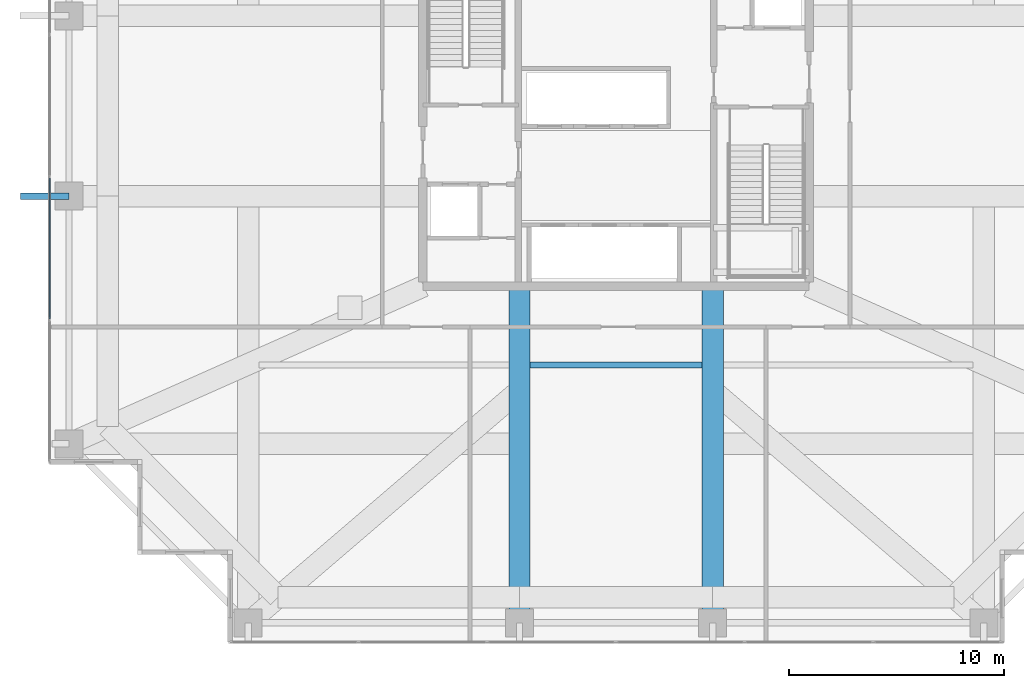
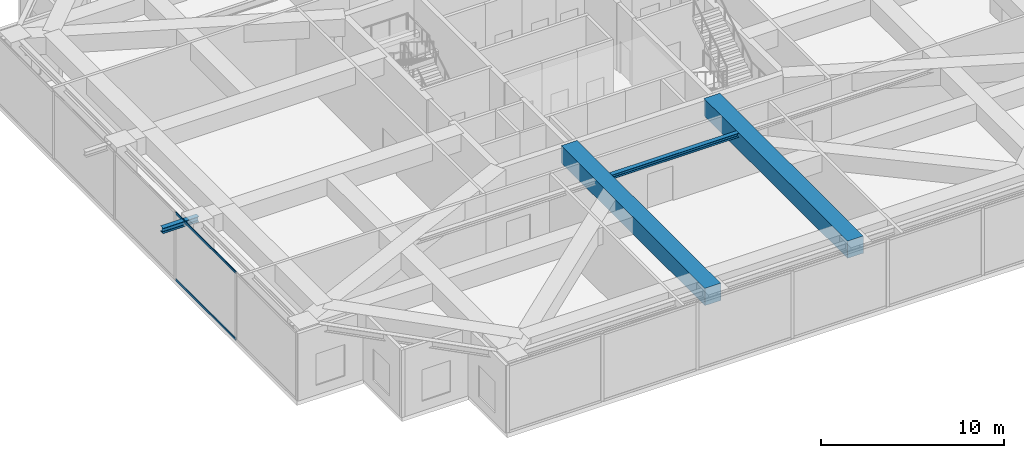
# One storey, part 7 of 35: 4 beams, 2 members, 1 element without a shape of its own.
"""IFC4 building model written with IfcOpenShell, lengths in metres."""

from ifc_helpers import new_model, si_unit, direction, frame, origin, origin_2d, place, context, subcontext, project, spatial, rectangle, hollow_rectangle, i_section, extrude, source, transform, mapped, material, layer, layer_set, material_profile, profile_set, type_object, element, aggregate, save


model = new_model("IFC4")

# Units and contexts
model_context = context("Model", 3, precision=1e-05, world=origin(), true_north=direction((0.0, 1.0)))
body_context = subcontext(model_context, "Body", "Model", "MODEL_VIEW")
ifc_project = project(units=[si_unit("LENGTHUNIT", "METRE"), si_unit("AREAUNIT", "SQUARE_METRE"), si_unit("VOLUMEUNIT", "CUBIC_METRE"), si_unit("PLANEANGLEUNIT", "RADIAN"), si_unit("MASSUNIT", "GRAM", prefix="KILO")], contexts=[model_context])

# Site, building, storey
site_placement = place(None, origin())
site = spatial("IfcSite", under=ifc_project, at=site_placement, CompositionType="ELEMENT")
building_placement = place(site_placement, origin())
building = spatial("IfcBuilding", under=site, at=building_placement, Name="Serunith Strait Residences", CompositionType="ELEMENT")
storey_placement = place(building_placement, frame((0.0, 0.0, 115.199951171875)))
storey = spatial("IfcBuildingStorey", under=building, at=storey_placement, Name="L28", CompositionType="ELEMENT", Elevation=115.199951171875)

# Beams
ifc_material_1 = material(Name="Concrete C80/95", Category="concrete")
ifc_material_profile_1 = material_profile(ifc_material_1, rectangle(XDim=1.0, YDim=1.14990234375, at=origin_2d()), Name="RC 1000x1150")
ifc_profile_set_1 = profile_set([ifc_material_profile_1], Name="Concrete C80/95")
beam_type_1 = type_object("IfcBeamType", Name="BM-XFER-1000x1150", PredefinedType="BEAM", material=ifc_profile_set_1)
shared_shape_1 = source(origin(), body_context, "Body", "SweptSolid", [
    extrude(rectangle(XDim=1.0, YDim=1.14990234375, at=origin_2d()), origin(), (0.0, 0.0, 1.0), 15.699951171875),
])
for number, where, z_axis, x_axis, name in (
    (1, (27.89990234375, 16.800048828125, 3.93505859375), (0.0, -1.0, 0.0), (1.0, 0.0, 0.0), "L28 Primary Floor Girder TC-S2"),
    (2, (36.89990234375, 16.800048828125, 3.93505859375), (0.0, -1.0, 0.0), (1.0, 0.0, 0.0), "L28 Primary Floor Girder TC-S3"),
):
    element("IfcBeam", number, at=place(storey_placement, frame(where, z_axis=z_axis, x_axis=x_axis)), inside=storey, type_object=beam_type_1, Name=name, PredefinedType="BEAM", context=body_context, shape_type="MappedRepresentation", body=[
        mapped(shared_shape_1, transform((0.0, 0.0, 0.0), scale=1.0)),
    ])
ifc_material_2 = material(Name="Steel S355J2", Category="steel")
ifc_material_profile_2 = material_profile(ifc_material_2, i_section(OverallWidth=0.280029296875, OverallDepth=0.280029296875, WebThickness=0.010498046875, FlangeThickness=0.01806640625, FilletRadius=0.02392578125, at=origin_2d()), Name="HEB 280")
ifc_profile_set_2 = profile_set([ifc_material_profile_2], Name="Steel S355J2")
beam_type_2 = type_object("IfcBeamType", Name="BM-HEB280", PredefinedType="JOIST", material=ifc_profile_set_2)
shared_shape_2 = source(origin(), body_context, "Body", "SweptSolid", [
    extrude(i_section(OverallWidth=0.280029296875, OverallDepth=0.280029296875, WebThickness=0.010498046875, FlangeThickness=0.01806640625, FilletRadius=0.02392578125, at=origin_2d()), origin(), (0.0, 0.0, 1.0), 8.0),
])
beam_1_placement = place(storey_placement, frame((28.39990234375, 13.125, 4.366943359375), z_axis=(1.0, 0.0, 0.0), x_axis=(0.0, 1.0, 0.0)))
element("IfcBeam", 3, at=beam_1_placement, inside=storey, type_object=beam_type_2, Name="L28 Composite Floor Joist 02", PredefinedType="JOIST", context=body_context, shape_type="MappedRepresentation", body=[
    mapped(shared_shape_2, transform((0.0, 0.0, 0.0), scale=1.0)),
])
ifc_material_profile_3 = material_profile(ifc_material_2, i_section(OverallWidth=0.300048828125, OverallDepth=0.360107421875, WebThickness=0.012451171875, FlangeThickness=0.0224609375, FilletRadius=0.027099609375, at=origin_2d()), Name="HEB 360")
ifc_profile_set_3 = profile_set([ifc_material_profile_3], Name="Steel S355J2")
beam_type_3 = type_object("IfcBeamType", Name="BM-HEB360", PredefinedType="BEAM", material=ifc_profile_set_3)
shared_shape_3 = source(origin(), body_context, "Body", "SweptSolid", [
    extrude(i_section(OverallWidth=0.300048828125, OverallDepth=0.360107421875, WebThickness=0.012451171875, FlangeThickness=0.0224609375, FilletRadius=0.027099609375, at=origin_2d()), origin(), (0.0, 0.0, 1.0), 2.265380859375),
])
beam_2_placement = place(storey_placement, frame((6.89990234375, 21.0, 4.3271484375), z_axis=(-1.0, 0.0, 0.0), x_axis=(0.0, -1.0, 0.0)))
element("IfcBeam", 4, at=beam_2_placement, inside=storey, type_object=beam_type_3, Name="L29 Cantilevered Balcony Rib TC-W2", PredefinedType="BEAM", context=body_context, shape_type="MappedRepresentation", body=[
    mapped(shared_shape_3, transform((0.0, 0.0, 0.0), scale=1.0)),
])

# Curtain wall, members
ifc_material_3 = material(Name="Pale-Champagne Anodised Aluminium", Category="aluminium")
ifc_layer = layer(ifc_material_3, 0.199951171875, Name="Pale-Champagne Anodised Aluminium")
ifc_layer_set = layer_set([ifc_layer], Name="Pale-Champagne Anodised Aluminium")
curtain_wall_type = type_object("IfcCurtainWallType", Name="CW-SYS1", PredefinedType="NOTDEFINED", material=ifc_layer_set)
curtain_wall_placement = place(storey_placement, origin())
curtain_wall = element("IfcCurtainWall", 5, at=curtain_wall_placement, inside=storey, type_object=curtain_wall_type, Name="L28 W Unitised Fritted Curtain Wall", PredefinedType="NOTDEFINED")
ifc_material_profile_4 = material_profile(ifc_material_3, hollow_rectangle(XDim=0.06005859375, YDim=0.159912109375, WallThickness=0.00341796875, InnerFilletRadius=0.00537109375, OuterFilletRadius=0.0087890625, at=origin_2d()), Name="ALU 160x60x3.5")
ifc_profile_set_4 = profile_set([ifc_material_profile_4], Name="Pale-Champagne Anodised Aluminium")
member_type = type_object("IfcMemberType", Name="CW-SYS1-TRAN", PredefinedType="USERDEFINED", material=ifc_profile_set_4)
shared_shape_4 = source(origin(), body_context, "Body", "SweptSolid", [
    extrude(hollow_rectangle(XDim=0.06005859375, YDim=0.159912109375, WallThickness=0.00341796875, InnerFilletRadius=0.00537109375, OuterFilletRadius=0.0087890625, at=origin_2d()), origin(), (0.0, 0.0, 1.0), 6.570068359375),
])
member_1_placement = place(storey_placement, frame((6.0, 21.844970703125, 0.030029296875), z_axis=(0.0, -1.0, 0.0), x_axis=(1.0, 0.0, 0.0)))
member_1 = element("IfcMember", 6, at=member_1_placement, type_object=member_type, Name="CW-1 transom 4.1", ObjectType="TRANSOM", PredefinedType="USERDEFINED", context=body_context, shape_type="MappedRepresentation", body=[
    mapped(shared_shape_4, transform((0.0, 0.0, 0.0), scale=1.0)),
])
member_2_placement = place(storey_placement, frame((6.0, 21.844970703125, 4.465087890625), z_axis=(0.0, -1.0, 0.0), x_axis=(1.0, 0.0, 0.0)))
member_2 = element("IfcMember", 7, at=member_2_placement, type_object=member_type, Name="CW-1 transom 4.2", ObjectType="TRANSOM", PredefinedType="USERDEFINED", context=body_context, shape_type="MappedRepresentation", body=[
    mapped(shared_shape_4, transform((0.0, 0.0, 0.0), scale=1.0)),
])
aggregate(curtain_wall, [member_1, member_2])

save(model, "model.ifc")
